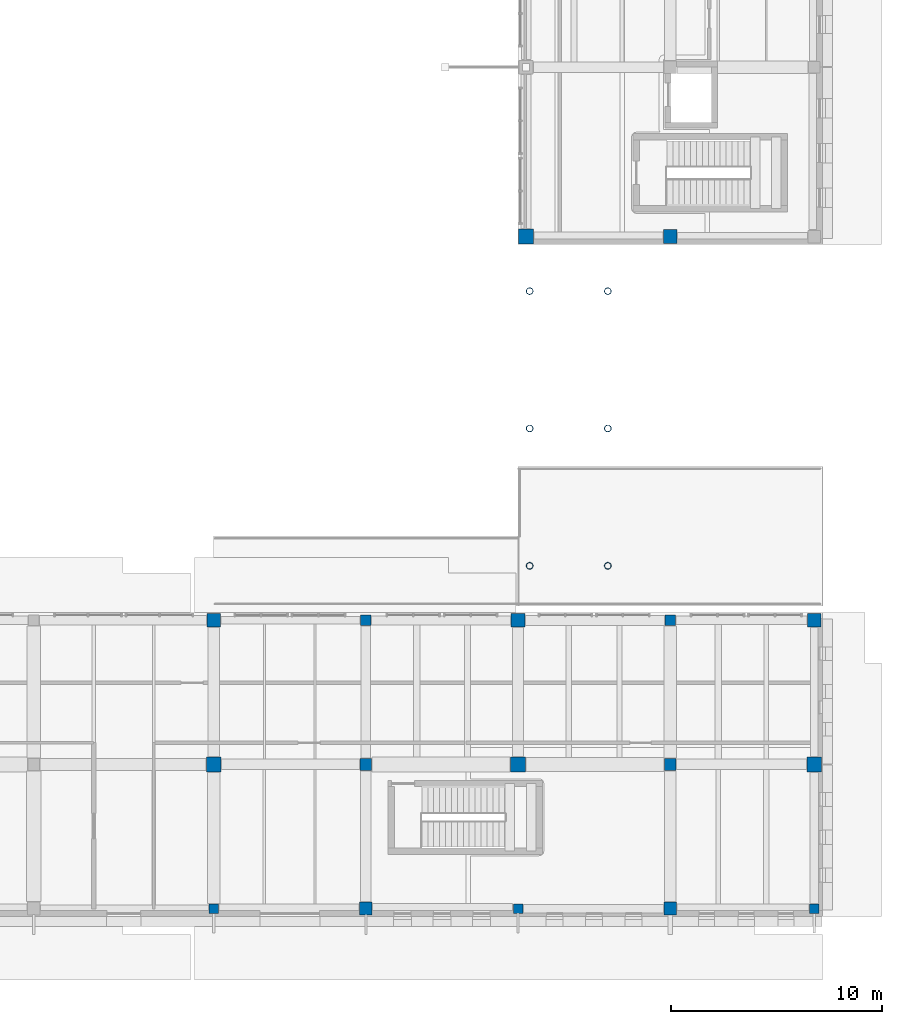
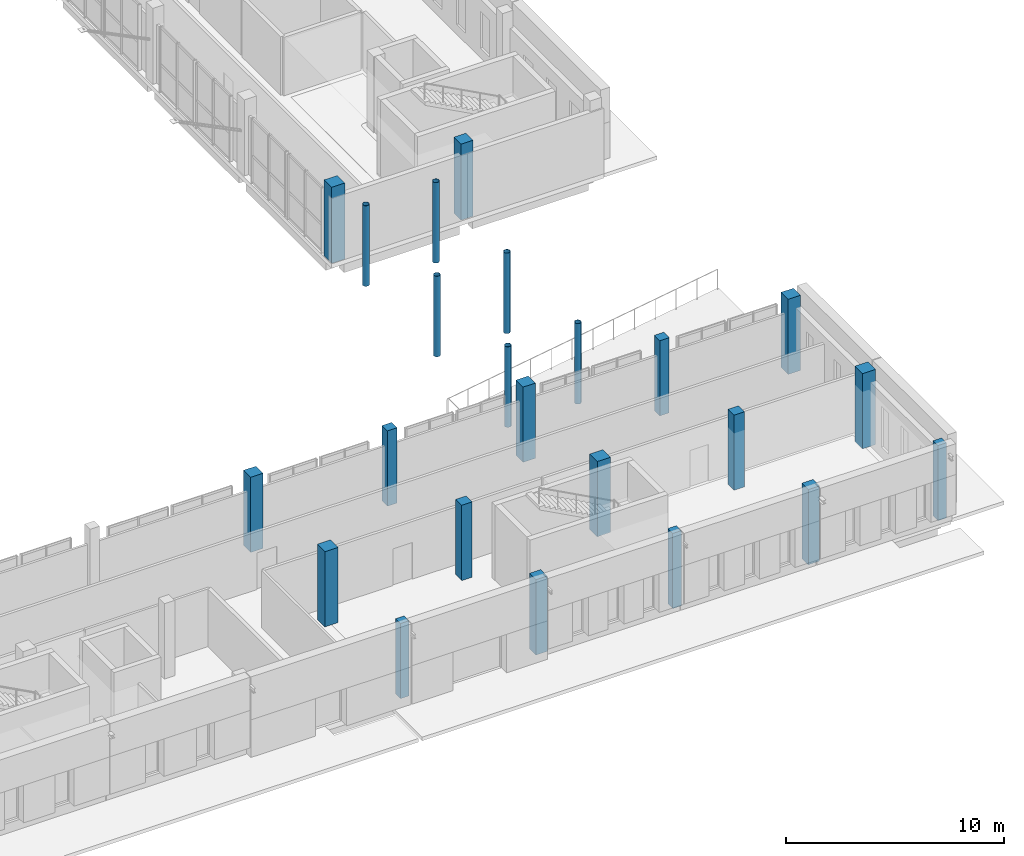
# One storey, part 5 of 77: 23 columns.
"""IFC4 building model written with IfcOpenShell, lengths in metres."""

import ifcopenshell
import ifcopenshell.guid

model = None  # the IFC model being written
_history = None  # IfcOwnerHistory: only IFC2X3 demands one
_inside = {}  # id of a spatial element -> (the spatial element, [elements in it])
_under = {}  # id of a project, library or spatial element -> (it, [spatial elements below it])
_declared = {}  # id of a project -> (the project, [libraries it declares])
_typed = {}  # id of a type object -> (the type object, [elements of that type])
_made_of = {}  # id of a material, layer set ... -> (it, [elements and type objects made of it])


def new_model(schema):
    """Start an empty IFC model of exactly this schema.

    Asked for "IFC4X3", IfcOpenShell would pick the latest addendum, in which some entities
    have other attributes; the version numbers below select the first issue.
    IFC2X3 requires an IfcOwnerHistory on every rooted entity: one is made here for all.
    """
    global model, _history
    if schema == "IFC4X3":
        model = ifcopenshell.file(schema_version=(4, 3, 0, 0))
    else:
        model = ifcopenshell.file(schema=schema)
    _inside.clear()
    _under.clear()
    _declared.clear()
    _typed.clear()
    _made_of.clear()
    _history = None
    if model.schema == "IFC2X3":
        org = make("IfcOrganization", Name="unknown")
        user = make(
            "IfcPersonAndOrganization",
            ThePerson=make("IfcPerson", FamilyName="unknown"),
            TheOrganization=org,
        )
        app = make(
            "IfcApplication",
            ApplicationDeveloper=org,
            Version="unknown",
            ApplicationFullName="unknown",
            ApplicationIdentifier="unknown",
        )
        _history = make(
            "IfcOwnerHistory",
            OwningUser=user,
            OwningApplication=app,
            ChangeAction="ADDED",
            CreationDate=0,
        )
    return model


def make(cls, **values):
    """One entity of the class cls with the attributes given. An attribute that is None is left unset."""
    return model.create_entity(
        cls, **{name: value for name, value in values.items() if value is not None}
    )


def rooted(cls, **values):
    """An entity with a GlobalId (a new one), such as an element, a storey or a relation."""
    return make(cls, GlobalId=ifcopenshell.guid.new(), OwnerHistory=_history, **values)


def si_unit(unit_type, name, prefix=None):
    """IfcSIUnit, for example si_unit("LENGTHUNIT", "METRE", prefix="MILLI")."""
    return make("IfcSIUnit", UnitType=unit_type, Prefix=prefix, Name=name)


def assignment(units):
    """IfcUnitAssignment: the units of a project."""
    return None if units is None else make("IfcUnitAssignment", Units=units)


def point(xyz):
    """IfcCartesianPoint."""
    return None if xyz is None else make("IfcCartesianPoint", Coordinates=xyz)


def direction(xyz):
    """IfcDirection."""
    return None if xyz is None else make("IfcDirection", DirectionRatios=xyz)


def frame(location, z_axis=None, x_axis=None):
    """IfcAxis2Placement3D, a coordinate frame: its origin and axes. An axis left out is left unset."""
    return make(
        "IfcAxis2Placement3D",
        Location=point(location),
        Axis=direction(z_axis),
        RefDirection=direction(x_axis),
    )


def frame_2d(location, x_axis=None):
    """IfcAxis2Placement2D, a coordinate frame in the plane: its origin and x axis."""
    return make(
        "IfcAxis2Placement2D", Location=point(location), RefDirection=direction(x_axis)
    )


def origin():
    """The frame at (0, 0, 0) with its axes left unset."""
    return frame((0.0, 0.0, 0.0))


def origin_2d():
    """The frame at (0, 0) in the plane with its x axis left unset."""
    return frame_2d((0.0, 0.0))


def place(relative_to, where):
    """IfcLocalPlacement: puts the frame where relative to a parent placement (None: the world)."""
    return make(
        "IfcLocalPlacement", PlacementRelTo=relative_to, RelativePlacement=where
    )


def context(
    kind, dimensions, precision=None, world=None, true_north=None, identifier=None
):
    """IfcGeometricRepresentationContext, for example the 3D "Model" context."""
    return make(
        "IfcGeometricRepresentationContext",
        ContextIdentifier=identifier,
        ContextType=kind,
        CoordinateSpaceDimension=dimensions,
        Precision=precision,
        WorldCoordinateSystem=world,
        TrueNorth=true_north,
    )


def subcontext(parent, identifier, kind, view, scale=None):
    """IfcGeometricRepresentationSubContext, for example "Body" below "Model"."""
    return make(
        "IfcGeometricRepresentationSubContext",
        ContextIdentifier=identifier,
        ContextType=kind,
        ParentContext=parent,
        TargetScale=scale,
        TargetView=view,
    )


def project(units=None, contexts=None):
    """IfcProject with its units and contexts."""
    return rooted(
        "IfcProject",
        Name="project",
        RepresentationContexts=contexts,
        UnitsInContext=assignment(units),
    )


def spatial(cls, under=None, at=None, **own):
    """A site, building, storey or space (cls), placed at a placement, below another one or the project."""
    s = rooted(cls, ObjectPlacement=at, **own)
    if under is not None:
        _under.setdefault(under.id(), (under, []))[1].append(s)
    return s


def profile(cls, at=None, kind="AREA", **sizes):
    """A parametric profile (cls). Its sizes go by their IFC names, for example OverallWidth=200.0."""
    return make(cls, ProfileType=kind, Position=at, **sizes)


def rectangle(**sizes):
    """IfcRectangleProfileDef."""
    return profile("IfcRectangleProfileDef", **sizes)


def hollow_circle(**sizes):
    """IfcCircleHollowProfileDef."""
    return profile("IfcCircleHollowProfileDef", **sizes)


def extrude(swept, where, along, depth):
    """IfcExtrudedAreaSolid: the profile swept, set in the frame where, extruded along a direction by depth."""
    return make(
        "IfcExtrudedAreaSolid",
        SweptArea=swept,
        Position=where,
        ExtrudedDirection=direction(along),
        Depth=depth,
    )


def shape(context_of_items, identifier, shape_type, items):
    """IfcShapeRepresentation: the items that make up one representation, for example the "Body"."""
    return make(
        "IfcShapeRepresentation",
        ContextOfItems=context_of_items,
        RepresentationIdentifier=identifier,
        RepresentationType=shape_type,
        Items=items,
    )


def material(Name=None, Category=None):
    """IfcMaterial."""
    return make("IfcMaterial", Name=Name, Category=Category)


def material_profile(
    of_material, cross_section, Name=None, Category=None, Priority=None
):
    """IfcMaterialProfile: a cross section and its material."""
    return make(
        "IfcMaterialProfile",
        Name=Name,
        Material=of_material,
        Profile=cross_section,
        Priority=Priority,
        Category=Category,
    )


def profile_set(profiles, Name=None, composite=None):
    """IfcMaterialProfileSet."""
    return make(
        "IfcMaterialProfileSet",
        Name=Name,
        MaterialProfiles=profiles,
        CompositeProfile=composite,
    )


def made_of(thing, what):
    """Note that an element or type object is made of a material, layer set ...; save() writes the relation."""
    if what is not None:
        _made_of.setdefault(what.id(), (what, []))[1].append(thing)
    return thing


def type_object(cls, material=None, **own):
    """A type object (cls), such as IfcWallType, which elements share."""
    return made_of(rooted(cls, **own), material)


def element(
    cls,
    number,
    at=None,
    inside=None,
    cuts=None,
    type_object=None,
    material=None,
    context=None,
    identifier="Body",
    shape_type=None,
    held_by="IfcProductDefinitionShape",
    body=None,
    shapes=None,
    **own,
):
    """One element of the class cls, such as IfcWall. Its Tag is "e" and its number.

    at: its placement. inside: the storey or other place that contains it. cuts: it is an
    opening in that element (IfcRelVoidsElement). A single representation is given by context,
    identifier, shape_type and body (its items); several are given by shapes. held_by: the class
    of the entity that holds the representations. save() writes the other relations.
    """
    e = rooted(cls, Tag="e%d" % number, ObjectPlacement=at, **own)
    if body is not None:
        shapes = [shape(context, identifier, shape_type, body)]
    if shapes is not None:
        e.Representation = make(held_by, Representations=shapes)
    if inside is not None:
        _inside.setdefault(inside.id(), (inside, []))[1].append(e)
    if cuts is not None:
        rooted(
            "IfcRelVoidsElement", RelatingBuildingElement=cuts, RelatedOpeningElement=e
        )
    if type_object is not None:
        _typed.setdefault(type_object.id(), (type_object, []))[1].append(e)
    return made_of(e, material)


def aggregate(whole, parts):
    """IfcRelAggregates: a whole, such as a stair, and the parts it consists of."""
    return rooted("IfcRelAggregates", RelatingObject=whole, RelatedObjects=parts)


def save(model, path):
    """Write the relations noted so far, then the file.

    IfcRelAggregates (storeys below a building ...), IfcRelContainedInSpatialStructure (elements
    in a storey), IfcRelDefinesByType, IfcRelAssociatesMaterial and IfcRelDeclares: one each for
    every whole, place, type object, material and project.
    """
    for whole, parts in _under.values():
        aggregate(whole, parts)
    for where, things in _inside.values():
        rooted(
            "IfcRelContainedInSpatialStructure",
            RelatedElements=things,
            RelatingStructure=where,
        )
    for kind, things in _typed.values():
        rooted("IfcRelDefinesByType", RelatedObjects=things, RelatingType=kind)
    for what, things in _made_of.values():
        rooted("IfcRelAssociatesMaterial", RelatedObjects=things, RelatingMaterial=what)
    for by, libraries in _declared.values():
        rooted("IfcRelDeclares", RelatingContext=by, RelatedDefinitions=libraries)
    model.write(path)


model = new_model("IFC4")

# Units and contexts
model_context = context("Model", 3, precision=1e-05, world=origin(), true_north=direction((0.0, 1.0)))
body_context = subcontext(model_context, "Body", "Model", "MODEL_VIEW")
ifc_project = project(units=[si_unit("LENGTHUNIT", "METRE"), si_unit("AREAUNIT", "SQUARE_METRE"), si_unit("VOLUMEUNIT", "CUBIC_METRE"), si_unit("PLANEANGLEUNIT", "RADIAN"), si_unit("MASSUNIT", "GRAM", prefix="KILO")], contexts=[model_context])

# Site, building, storey
site_placement = place(None, origin())
site = spatial("IfcSite", under=ifc_project, at=site_placement, CompositionType="ELEMENT")
building_placement = place(site_placement, origin())
building = spatial("IfcBuilding", under=site, at=building_placement, Name="Vardoun Plaza Health Centre", CompositionType="ELEMENT")
storey_placement = place(building_placement, origin())
storey = spatial("IfcBuildingStorey", under=building, at=storey_placement, Name="L00", CompositionType="ELEMENT", Elevation=0.0)

# Columns
ifc_material_1 = material(Name="Concrete C40/50", Category="concrete")
ifc_material_profile_1 = material_profile(ifc_material_1, rectangle(XDim=0.449951171875, YDim=0.449951171875, at=origin_2d()), Name="RC-COL 450x450")
ifc_profile_set_1 = profile_set([ifc_material_profile_1], Name="Concrete C40/50")
column_type_1 = type_object("IfcColumnType", Name="C-07", PredefinedType="COLUMN", material=ifc_profile_set_1)
for number, where, z_axis, x_axis, name in (
    (1, (136.5, 4.8798828125, 0.0), (0.0, 0.0, 1.0), (1.0, 0.0, 0.0), "V5 L00 Column C-V5-13"),
    (2, (150.89990234375, 4.8798828125, 0.0), (0.0, 0.0, 1.0), (1.0, 0.0, 0.0), "V5 L00 Column C-V5-19"),
    (3, (164.919921875, 4.8798828125, 0.0), (0.0, 0.0, 1.0), (1.0, 0.0, 0.0), "V5 L00 Column C-V5-25"),
):
    element("IfcColumn", number, at=place(storey_placement, frame(where, z_axis=z_axis, x_axis=x_axis)), inside=storey, type_object=column_type_1, Name=name, PredefinedType="COLUMN", context=body_context, shape_type="SweptSolid", body=[
        extrude(rectangle(XDim=0.449951171875, YDim=0.449951171875, at=origin_2d()), origin(), (0.0, 0.0, 1.0), 4.205078125),
    ])
ifc_material_2 = material(Name="Concrete C40/50", Category="concrete")
ifc_material_profile_2 = material_profile(ifc_material_2, rectangle(XDim=0.5, YDim=0.5, at=origin_2d()), Name="RC-COL 500x500")
ifc_profile_set_2 = profile_set([ifc_material_profile_2], Name="Concrete C40/50")
column_type_2 = type_object("IfcColumnType", Name="C-06", PredefinedType="COLUMN", material=ifc_profile_set_2)
for number, where, z_axis, x_axis, name in (
    (4, (143.699951171875, 18.52001953125, 0.0), (0.0, 0.0, 1.0), (1.0, 0.0, 0.0), "V5 L00 Column C-V5-18"),
    (5, (158.10009765625, 18.52001953125, 0.0), (0.0, 0.0, 1.0), (1.0, 0.0, 0.0), "V5 L00 Column C-V5-24"),
):
    element("IfcColumn", number, at=place(storey_placement, frame(where, z_axis=z_axis, x_axis=x_axis)), inside=storey, type_object=column_type_2, Name=name, PredefinedType="COLUMN", context=body_context, shape_type="SweptSolid", body=[
        extrude(rectangle(XDim=0.5, YDim=0.5, at=origin_2d()), origin(), (0.0, 0.0, 1.0), 4.205078125),
    ])
ifc_material_3 = material(Name="Concrete C40/50", Category="concrete")
ifc_material_profile_3 = material_profile(ifc_material_3, rectangle(XDim=0.550048828125, YDim=0.550048828125, at=origin_2d()), Name="RC-COL 550x550")
ifc_profile_set_3 = profile_set([ifc_material_profile_3], Name="Concrete C40/50")
column_type_3 = type_object("IfcColumnType", Name="C-05", PredefinedType="COLUMN", material=ifc_profile_set_3)
for number, where, z_axis, x_axis, name in (
    (6, (143.699951171875, 11.699951171875, 0.0), (0.0, 0.0, 1.0), (1.0, 0.0, 0.0), "V5 L00 Column C-V5-17"),
    (7, (158.10009765625, 11.699951171875, 0.0), (0.0, 0.0, 1.0), (1.0, 0.0, 0.0), "V5 L00 Column C-V5-23"),
):
    element("IfcColumn", number, at=place(storey_placement, frame(where, z_axis=z_axis, x_axis=x_axis)), inside=storey, type_object=column_type_3, Name=name, PredefinedType="COLUMN", context=body_context, shape_type="SweptSolid", body=[
        extrude(rectangle(XDim=0.550048828125, YDim=0.550048828125, at=origin_2d()), origin(), (0.0, 0.0, 1.0), 4.205078125),
    ])
ifc_material_4 = material(Name="Concrete C40/50", Category="concrete")
ifc_material_profile_4 = material_profile(ifc_material_4, rectangle(XDim=0.60009765625, YDim=0.60009765625, at=origin_2d()), Name="RC-COL 600x600")
ifc_profile_set_4 = profile_set([ifc_material_profile_4], Name="Concrete C40/50")
column_type_4 = type_object("IfcColumnType", Name="C-04", PredefinedType="COLUMN", material=ifc_profile_set_4)
for number, where, z_axis, x_axis, name in (
    (8, (143.699951171875, 4.8798828125, 0.0), (0.0, 0.0, 1.0), (1.0, 0.0, 0.0), "V5 L00 Column C-V5-16"),
    (9, (158.10009765625, 4.8798828125, 0.0), (0.0, 0.0, 1.0), (1.0, 0.0, 0.0), "V5 L00 Column C-V5-22"),
):
    element("IfcColumn", number, at=place(storey_placement, frame(where, z_axis=z_axis, x_axis=x_axis)), inside=storey, type_object=column_type_4, Name=name, PredefinedType="COLUMN", context=body_context, shape_type="SweptSolid", body=[
        extrude(rectangle(XDim=0.60009765625, YDim=0.60009765625, at=origin_2d()), origin(), (0.0, 0.0, 1.0), 4.205078125),
    ])
ifc_material_5 = material(Name="Concrete C40/50", Category="concrete")
ifc_material_profile_5 = material_profile(ifc_material_5, rectangle(XDim=0.64990234375, YDim=0.64990234375, at=origin_2d()), Name="RC-COL 650x650")
ifc_profile_set_5 = profile_set([ifc_material_profile_5], Name="Concrete C40/50")
column_type_5 = type_object("IfcColumnType", Name="C-03", PredefinedType="COLUMN", material=ifc_profile_set_5)
for number, where, z_axis, x_axis, name in (
    (10, (136.5, 18.52001953125, 0.0), (0.0, 0.0, 1.0), (1.0, 0.0, 0.0), "V5 L00 Column C-V5-15"),
    (11, (150.89990234375, 18.52001953125, 0.0), (0.0, 0.0, 1.0), (1.0, 0.0, 0.0), "V5 L00 Column C-V5-21"),
    (12, (164.919921875, 18.52001953125, 0.0), (0.0, 0.0, 1.0), (1.0, 0.0, 0.0), "V5 L00 Column C-V5-27"),
):
    element("IfcColumn", number, at=place(storey_placement, frame(where, z_axis=z_axis, x_axis=x_axis)), inside=storey, type_object=column_type_5, Name=name, PredefinedType="COLUMN", context=body_context, shape_type="SweptSolid", body=[
        extrude(rectangle(XDim=0.64990234375, YDim=0.64990234375, at=origin_2d()), origin(), (0.0, 0.0, 1.0), 4.205078125),
    ])
column_1_placement = place(storey_placement, frame((158.10009765625, 36.679931640625, 0.0), z_axis=(0.0, 0.0, 1.0), x_axis=(1.0, 0.0, 0.0)))
element("IfcColumn", 13, at=column_1_placement, inside=storey, type_object=column_type_5, Name="V6 L00 Column C-V6-08", PredefinedType="COLUMN", context=body_context, shape_type="SweptSolid", body=[
    extrude(rectangle(XDim=0.64990234375, YDim=0.64990234375, at=origin_2d()), origin(), (0.0, 0.0, 1.0), 4.25),
])
ifc_material_6 = material(Name="Concrete C40/50", Category="concrete")
ifc_material_profile_6 = material_profile(ifc_material_6, rectangle(XDim=0.699951171875, YDim=0.699951171875, at=origin_2d()), Name="RC-COL 700x700")
ifc_profile_set_6 = profile_set([ifc_material_profile_6], Name="Concrete C40/50")
column_type_6 = type_object("IfcColumnType", Name="C-02", PredefinedType="COLUMN", material=ifc_profile_set_6)
for number, where, z_axis, x_axis, name in (
    (14, (136.5, 11.699951171875, 0.0), (0.0, 0.0, 1.0), (1.0, 0.0, 0.0), "V5 L00 Column C-V5-14"),
    (15, (150.89990234375, 11.699951171875, 0.0), (0.0, 0.0, 1.0), (1.0, 0.0, 0.0), "V5 L00 Column C-V5-20"),
    (16, (164.919921875, 11.699951171875, 0.0), (0.0, 0.0, 1.0), (1.0, 0.0, 0.0), "V5 L00 Column C-V5-26"),
):
    element("IfcColumn", number, at=place(storey_placement, frame(where, z_axis=z_axis, x_axis=x_axis)), inside=storey, type_object=column_type_6, Name=name, PredefinedType="COLUMN", context=body_context, shape_type="SweptSolid", body=[
        extrude(rectangle(XDim=0.699951171875, YDim=0.699951171875, at=origin_2d()), origin(), (0.0, 0.0, 1.0), 4.205078125),
    ])
column_2_placement = place(storey_placement, frame((151.280029296875, 36.679931640625, 0.0), z_axis=(0.0, 0.0, 1.0), x_axis=(1.0, 0.0, 0.0)))
element("IfcColumn", 17, at=column_2_placement, inside=storey, type_object=column_type_6, Name="V6 L00 Column C-V6-01", PredefinedType="COLUMN", context=body_context, shape_type="SweptSolid", body=[
    extrude(rectangle(XDim=0.699951171875, YDim=0.699951171875, at=origin_2d()), origin(), (0.0, 0.0, 1.0), 4.25),
])
ifc_material_7 = material(Name="Steel S355J2H", Category="steel")
ifc_material_profile_7 = material_profile(ifc_material_7, hollow_circle(Radius=0.161865234375, WallThickness=0.01611328125, at=origin_2d()), Name="CHS 323.9x16.0")
ifc_profile_set_7 = profile_set([ifc_material_profile_7], Name="Steel S355J2H")
column_type_7 = type_object("IfcColumnType", Name="C-20", PredefinedType="COLUMN", material=ifc_profile_set_7)
for number, where, z_axis, x_axis, name in (
    (18, (151.449951171875, 21.10009765625, 0.0), (0.0, 0.0, 1.0), (1.0, 0.0, 0.0), "Bridge BR-05 Court Pier W.1 (L00)"),
    (19, (151.449951171875, 27.60009765625, 0.0), (0.0, 0.0, 1.0), (1.0, 0.0, 0.0), "Bridge BR-05 Court Pier W.2 (L00)"),
    (20, (151.449951171875, 34.10009765625, 0.0), (0.0, 0.0, 1.0), (1.0, 0.0, 0.0), "Bridge BR-05 Court Pier W.3 (L00)"),
    (21, (155.14990234375, 21.10009765625, 0.0), (0.0, 0.0, 1.0), (1.0, 0.0, 0.0), "Bridge BR-05 Court Pier E.1 (L00)"),
    (22, (155.14990234375, 27.60009765625, 0.0), (0.0, 0.0, 1.0), (1.0, 0.0, 0.0), "Bridge BR-05 Court Pier E.2 (L00)"),
    (23, (155.14990234375, 34.10009765625, 0.0), (0.0, 0.0, 1.0), (1.0, 0.0, 0.0), "Bridge BR-05 Court Pier E.3 (L00)"),
):
    element("IfcColumn", number, at=place(storey_placement, frame(where, z_axis=z_axis, x_axis=x_axis)), inside=storey, type_object=column_type_7, Name=name, PredefinedType="COLUMN", context=body_context, shape_type="SweptSolid", body=[
        extrude(hollow_circle(Radius=0.161865234375, WallThickness=0.01611328125, at=origin_2d()), origin(), (0.0, 0.0, 1.0), 4.5),
    ])

save(model, "model.ifc")
